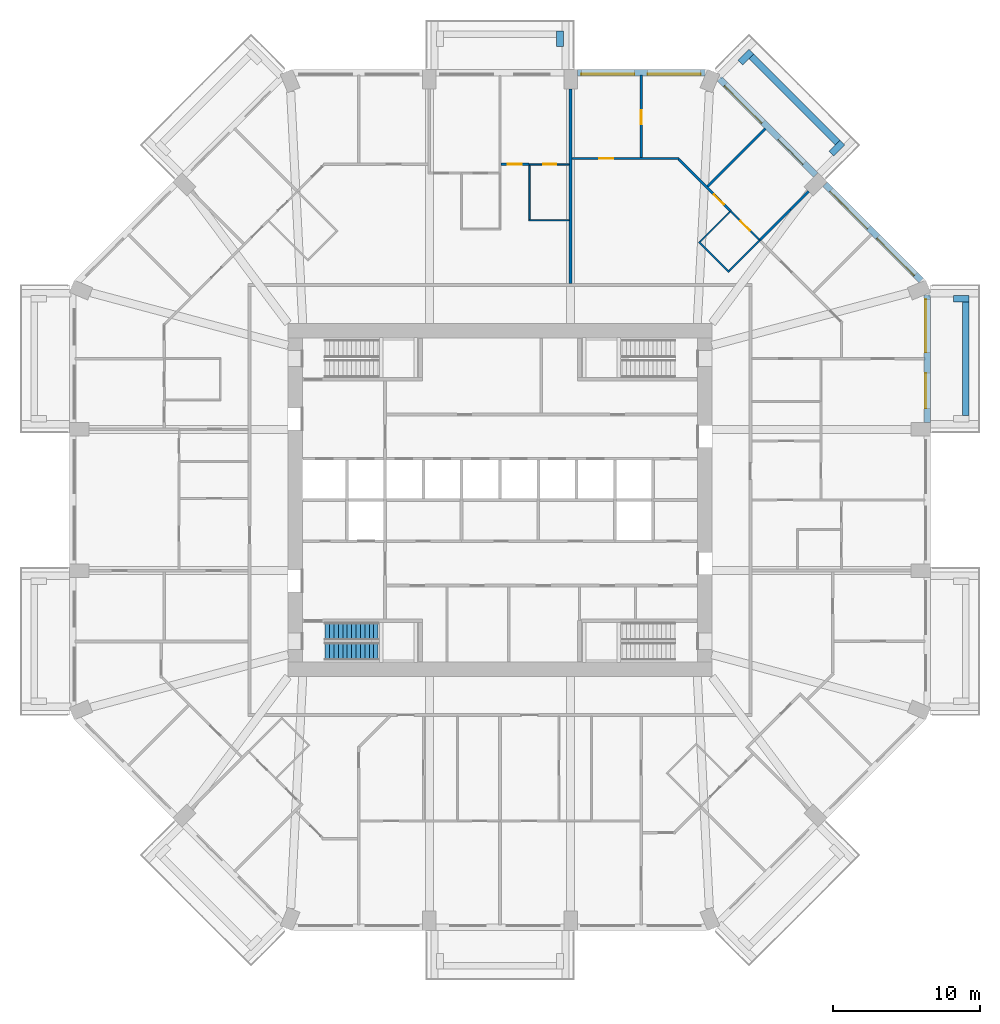
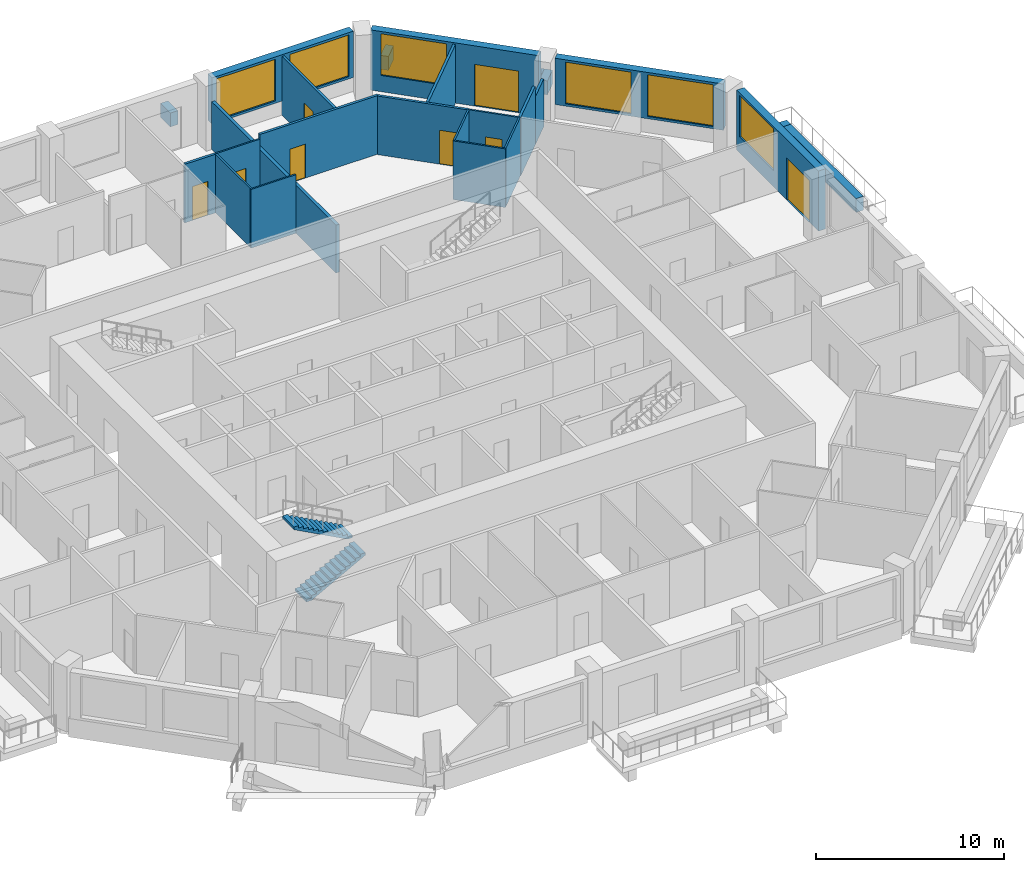
# One storey, part 10 of 13: 25 walls, 8 doors, 6 windows, 2 stair flights, 14 openings, 1 element without a shape of its own.
"""IFC4 building model written with IfcOpenShell, lengths in metres."""

from ifc_helpers import new_model, si_unit, direction, frame, frame_2d, origin, place, context, subcontext, project, spatial, polyline, rectangle, outline, extrude, material, layer, layer_set, type_object, element, fill, aggregate, save


model = new_model("IFC4")

# Units and contexts
model_context = context("Model", 3, precision=1e-05, world=origin(), true_north=direction((0.0, 1.0)))
body_context = subcontext(model_context, "Body", "Model", "MODEL_VIEW")
ifc_project = project(units=[si_unit("LENGTHUNIT", "METRE"), si_unit("AREAUNIT", "SQUARE_METRE"), si_unit("VOLUMEUNIT", "CUBIC_METRE"), si_unit("PLANEANGLEUNIT", "RADIAN"), si_unit("MASSUNIT", "GRAM", prefix="KILO")], contexts=[model_context])

# Site, building, storey
site_placement = place(None, origin())
site = spatial("IfcSite", under=ifc_project, at=site_placement, CompositionType="ELEMENT")
building_placement = place(site_placement, origin())
building = spatial("IfcBuilding", under=site, at=building_placement, Name="Msitu Wima Residences", CompositionType="ELEMENT")
storey_placement = place(building_placement, frame((0.0, 0.0, 92.699951171875)))
storey = spatial("IfcBuildingStorey", under=building, at=storey_placement, Name="L21", CompositionType="ELEMENT", Elevation=92.699951171875)

# Walls
ifc_material_1 = material(Name="Facing brick")
ifc_layer_1 = layer(ifc_material_1, 0.06494140625, Name="Facing brick")
ifc_material_2 = material(Name="Concrete C40/50", Category="concrete")
ifc_layer_2 = layer(ifc_material_2, 0.156005859375, Name="Concrete C40/50")
ifc_material_3 = material(Name="Waterproofing membrane")
ifc_layer_3 = layer(ifc_material_3, 0.00390625, Name="Waterproofing membrane")
ifc_material_4 = material(Name="Planting soil and planting")
ifc_layer_4 = layer(ifc_material_4, 0.22509765625, Name="Planting soil and planting")
ifc_layer_set_1 = layer_set([ifc_layer_1, ifc_layer_2, ifc_layer_3, ifc_layer_4], Name="Concrete C40/50")
wall_type_1 = type_object("IfcWallType", Name="Balcony planter PLANTER PL450", PredefinedType="USERDEFINED", material=ifc_layer_set_1)
wall_1_placement = place(storey_placement, frame((31.625, 5.75, 0.0), z_axis=(0.0, 0.0, 1.0), x_axis=(0.0, 1.0, 0.0)))
element("IfcWall", 1, at=wall_1_placement, inside=storey, type_object=wall_type_1, Name="Balcony planter E2 L21", ObjectType="PLANTER", PredefinedType="USERDEFINED", context=body_context, shape_type="SweptSolid", body=[
    extrude(rectangle(XDim=7.699951171875, YDim=0.449951171875, at=frame_2d((3.85009765625, 0.0))), origin(), (0.0, 0.0, 1.0), 0.900146484375),
])
wall_2_placement = place(storey_placement, frame((30.800048828125, 13.675048828125, 0.0), z_axis=(0.0, 0.0, 1.0), x_axis=(1.0, 0.0, 0.0)))
element("IfcWall", 2, at=wall_2_placement, inside=storey, type_object=wall_type_1, Name="Balcony planter E2 L21", ObjectType="PLANTER", PredefinedType="USERDEFINED", context=body_context, shape_type="SweptSolid", body=[
    extrude(rectangle(XDim=1.050048828125, YDim=0.449951171875, at=frame_2d((0.52490234375, 0.0))), origin(), (0.0, 0.0, 1.0), 0.900146484375),
])
wall_3_placement = place(storey_placement, frame((22.92578125, 24.269287109375, 0.0), z_axis=(0.0, 0.0, 1.0), x_axis=(-0.707106781187, 0.707106781187, 0.0)))
element("IfcWall", 3, at=wall_3_placement, inside=storey, type_object=wall_type_1, Name="Balcony planter NE1 L21", ObjectType="PLANTER", PredefinedType="USERDEFINED", context=body_context, shape_type="SweptSolid", body=[
    extrude(rectangle(XDim=8.2822265625, YDim=0.449951171875, at=frame_2d((4.14111328125, 0.0))), origin(), (0.0, 0.0, 1.0), 0.900146484375),
])
for number, where, z_axis, x_axis, name in (
    (4, (22.50146484375, 23.52685546875, 0.0), (0.0, 0.0, 1.0), (0.707223014731, 0.706990528533, 0.0), "Balcony planter NE1 L21"),
    (5, (16.326904296875, 29.70166015625, 0.0), (0.0, 0.0, 1.0), (0.707106781187, 0.707106781187, 0.0), "Balcony planter NE1 L21"),
    (6, (4.074951171875, 30.800048828125, 0.0), (0.0, 0.0, 1.0), (0.0, 1.0, 0.0), "Balcony planter N1 L21"),
):
    element("IfcWall", number, at=place(storey_placement, frame(where, z_axis=z_axis, x_axis=x_axis)), inside=storey, type_object=wall_type_1, Name=name, ObjectType="PLANTER", PredefinedType="USERDEFINED", context=body_context, shape_type="SweptSolid", body=[
        extrude(rectangle(XDim=1.050048828125, YDim=0.449951171875, at=frame_2d((0.52490234375, 0.0))), origin(), (0.0, 0.0, 1.0), 0.900146484375),
    ])

# Wall, openings, door, window
ifc_material_5 = material(Name="Brick (red buff mix)", Category="masonry")
ifc_layer_5 = layer(ifc_material_5, 0.449951171875)
ifc_layer_set_2 = layer_set([ifc_layer_5], Name="Brick (red buff mix)")
wall_type_2 = type_object("IfcWallType", Name="Brick infill wall BW450", PredefinedType="SOLIDWALL", material=ifc_layer_set_2)
wall_4_placement = place(storey_placement, frame((29.02490234375, 5.25, 0.0), z_axis=(0.0, 0.0, 1.0), x_axis=(0.0, 1.0, 0.0)))
wall_4 = element("IfcWall", 7, at=wall_4_placement, inside=storey, type_object=wall_type_2, Name="Brick infill wall L21 E2", PredefinedType="SOLIDWALL", context=body_context, shape_type="SweptSolid", body=[
    extrude(rectangle(XDim=8.662841796875, YDim=0.449951171875, at=frame_2d((4.33154296875, 0.0))), origin(), (0.0, 0.0, 1.0), 3.900146484375),
])
opening_1_placement = place(wall_4_placement, frame((0.9658203125, 0.0, 0.0)))
opening_1 = element("IfcOpeningElement", 8, at=opening_1_placement, cuts=wall_4, Name="Opening D21.002", PredefinedType="OPENING", context=body_context, shape_type="SweptSolid", body=[
    extrude(rectangle(XDim=2.39990234375, YDim=2.699951171875, at=frame_2d((1.199951171875, 1.35009765625))), frame((0.0, 0.23486328125, 0.0), z_axis=(0.0, -1.0, 0.0), x_axis=(1.0, 0.0, 0.0)), (0.0, 0.0, 1.0), 0.469970703125),
])
opening_2_placement = place(wall_4_placement, frame((4.781494140625, 0.0, 1.050048828125)))
opening_2 = element("IfcOpeningElement", 9, at=opening_2_placement, cuts=wall_4, Name="Opening W21.004", PredefinedType="OPENING", context=body_context, shape_type="SweptSolid", body=[
    extrude(rectangle(XDim=3.60009765625, YDim=2.699951171875, at=frame_2d((1.800048828125, 1.35009765625))), frame((0.0, 0.23486328125, 0.0), z_axis=(0.0, -1.0, 0.0), x_axis=(1.0, 0.0, 0.0)), (0.0, 0.0, 1.0), 0.469970703125),
])
ifc_material_6 = material(Name="Anodised aluminium, bronze finish, clear low-emissivity double glazing", Category="aluminium")
door_type_1 = type_object("IfcDoorType", Name="Balcony door D2400x2700", OperationType="SLIDING_TO_LEFT", PredefinedType="DOOR", material=ifc_material_6)
door_1_placement = place(opening_1_placement, origin())
door_1 = element("IfcDoor", 10, at=door_1_placement, inside=storey, type_object=door_type_1, Name="Balcony door L21 E2", OperationType="SINGLE_SWING_LEFT", OverallHeight=2.699951171875, OverallWidth=2.39990234375, PredefinedType="DOOR", context=body_context, shape_type="SweptSolid", body=[
    extrude(rectangle(XDim=2.39990234375, YDim=2.699951171875, at=frame_2d((1.199951171875, 1.35009765625))), frame((0.0, 0.1298828125, 0.0), z_axis=(0.0, -1.0, 0.0), x_axis=(1.0, 0.0, 0.0)), (0.0, 0.0, 1.0), 0.050048828125),
])
fill(opening_1, door_1)
window_type = type_object("IfcWindowType", Name="Window W3600x2700", PartitioningType="DOUBLE_PANEL_VERTICAL", PredefinedType="WINDOW", material=ifc_material_6)
window_1_placement = place(opening_2_placement, origin())
window_1 = element("IfcWindow", 11, at=window_1_placement, inside=storey, type_object=window_type, Name="Window L21 E2.2", OverallHeight=2.699951171875, OverallWidth=3.60009765625, PartitioningType="SINGLE_PANEL", PredefinedType="WINDOW", context=body_context, shape_type="SweptSolid", body=[
    extrude(rectangle(XDim=3.60009765625, YDim=2.699951171875, at=frame_2d((1.800048828125, 1.35009765625))), frame((0.0, 0.135009765625, 0.0), z_axis=(0.0, -1.0, 0.0), x_axis=(1.0, 0.0, 0.0)), (0.0, 0.0, 1.0), 0.06005859375),
])
fill(opening_2, window_1)

# Wall, openings, windows
wall_5_placement = place(storey_placement, frame((28.61474609375, 14.903564453125, 0.900146484375), z_axis=(0.0, 0.0, 1.0), x_axis=(-0.707106781187, 0.707106781187, 0.0)))
wall_5 = element("IfcWall", 12, at=wall_5_placement, inside=storey, type_object=wall_type_2, Name="Brick infill wall L21 NE0", PredefinedType="SOLIDWALL", context=body_context, shape_type="SweptSolid", body=[
    extrude(rectangle(XDim=9.2451171875, YDim=0.449951171875, at=frame_2d((4.62255859375, 0.0))), origin(), (0.0, 0.0, 1.0), 3.0),
])
opening_3_placement = place(wall_5_placement, frame((0.572509765625, 0.0, 0.14990234375)))
opening_3 = element("IfcOpeningElement", 13, at=opening_3_placement, cuts=wall_5, Name="Opening W21.010", PredefinedType="OPENING", context=body_context, shape_type="SweptSolid", body=[
    extrude(rectangle(XDim=3.60009765625, YDim=2.699951171875, at=frame_2d((1.800048828125, 1.35009765625))), frame((0.0, 0.23486328125, 0.0), z_axis=(0.0, -1.0, 0.0), x_axis=(1.0, 0.0, 0.0)), (0.0, 0.0, 1.0), 0.469970703125),
])
opening_4_placement = place(wall_5_placement, frame((5.072509765625, 0.0, 0.14990234375)))
opening_4 = element("IfcOpeningElement", 14, at=opening_4_placement, cuts=wall_5, Name="Opening W21.011", PredefinedType="OPENING", context=body_context, shape_type="SweptSolid", body=[
    extrude(rectangle(XDim=3.60009765625, YDim=2.699951171875, at=frame_2d((1.800048828125, 1.35009765625))), frame((0.0, 0.23486328125, 0.0), z_axis=(0.0, -1.0, 0.0), x_axis=(1.0, 0.0, 0.0)), (0.0, 0.0, 1.0), 0.469970703125),
])
window_2_placement = place(opening_3_placement, origin())
window_2 = element("IfcWindow", 15, at=window_2_placement, inside=storey, type_object=window_type, Name="Window L21 NE0.1", OverallHeight=2.699951171875, OverallWidth=3.60009765625, PartitioningType="SINGLE_PANEL", PredefinedType="WINDOW", context=body_context, shape_type="SweptSolid", body=[
    extrude(rectangle(XDim=3.60009765625, YDim=2.699951171875, at=frame_2d((1.800048828125, 1.35009765625))), frame((0.0, 0.135009765625, 0.0), z_axis=(0.0, -1.0, 0.0), x_axis=(1.0, 0.0, 0.0)), (0.0, 0.0, 1.0), 0.06005859375),
])
fill(opening_3, window_2)
window_3_placement = place(opening_4_placement, origin())
window_3 = element("IfcWindow", 16, at=window_3_placement, inside=storey, type_object=window_type, Name="Window L21 NE0.2", OverallHeight=2.699951171875, OverallWidth=3.60009765625, PartitioningType="SINGLE_PANEL", PredefinedType="WINDOW", context=body_context, shape_type="SweptSolid", body=[
    extrude(rectangle(XDim=3.60009765625, YDim=2.699951171875, at=frame_2d((1.800048828125, 1.35009765625))), frame((0.0, 0.135009765625, 0.0), z_axis=(0.0, -1.0, 0.0), x_axis=(1.0, 0.0, 0.0)), (0.0, 0.0, 1.0), 0.06005859375),
])
fill(opening_4, window_3)

# Wall, openings, door, window
wall_6_placement = place(storey_placement, frame((21.44091796875, 22.077392578125, 0.0), z_axis=(0.0, 0.0, 1.0), x_axis=(-0.707106781187, 0.707106781187, 0.0)))
wall_6 = element("IfcWall", 17, at=wall_6_placement, inside=storey, type_object=wall_type_2, Name="Brick infill wall L21 NE1", PredefinedType="SOLIDWALL", context=body_context, shape_type="SweptSolid", body=[
    extrude(rectangle(XDim=9.2451171875, YDim=0.449951171875, at=frame_2d((4.62255859375, 0.0))), origin(), (0.0, 0.0, 1.0), 3.900146484375),
])
opening_5_placement = place(wall_6_placement, frame((1.111328125, 0.0, 0.0)))
opening_5 = element("IfcOpeningElement", 18, at=opening_5_placement, cuts=wall_6, Name="Opening D21.004", PredefinedType="OPENING", context=body_context, shape_type="SweptSolid", body=[
    extrude(rectangle(XDim=2.39990234375, YDim=2.699951171875, at=frame_2d((1.199951171875, 1.35009765625))), frame((0.0, 0.23486328125, 0.0), z_axis=(0.0, -1.0, 0.0), x_axis=(1.0, 0.0, 0.0)), (0.0, 0.0, 1.0), 0.469970703125),
])
opening_6_placement = place(wall_6_placement, frame((5.072509765625, 0.0, 1.050048828125)))
opening_6 = element("IfcOpeningElement", 19, at=opening_6_placement, cuts=wall_6, Name="Opening W21.012", PredefinedType="OPENING", context=body_context, shape_type="SweptSolid", body=[
    extrude(rectangle(XDim=3.60009765625, YDim=2.699951171875, at=frame_2d((1.800048828125, 1.35009765625))), frame((0.0, 0.23486328125, 0.0), z_axis=(0.0, -1.0, 0.0), x_axis=(1.0, 0.0, 0.0)), (0.0, 0.0, 1.0), 0.469970703125),
])
door_2_placement = place(opening_5_placement, origin())
door_2 = element("IfcDoor", 20, at=door_2_placement, inside=storey, type_object=door_type_1, Name="Balcony door L21 NE1", OperationType="SINGLE_SWING_LEFT", OverallHeight=2.699951171875, OverallWidth=2.39990234375, PredefinedType="DOOR", context=body_context, shape_type="SweptSolid", body=[
    extrude(rectangle(XDim=2.39990234375, YDim=2.699951171875, at=frame_2d((1.199951171875, 1.35009765625))), frame((0.0, 0.1298828125, 0.0), z_axis=(0.0, -1.0, 0.0), x_axis=(1.0, 0.0, 0.0)), (0.0, 0.0, 1.0), 0.050048828125),
])
fill(opening_5, door_2)
window_4_placement = place(opening_6_placement, origin())
window_4 = element("IfcWindow", 21, at=window_4_placement, inside=storey, type_object=window_type, Name="Window L21 NE1.2", OverallHeight=2.699951171875, OverallWidth=3.60009765625, PartitioningType="SINGLE_PANEL", PredefinedType="WINDOW", context=body_context, shape_type="SweptSolid", body=[
    extrude(rectangle(XDim=3.60009765625, YDim=2.699951171875, at=frame_2d((1.800048828125, 1.35009765625))), frame((0.0, 0.135009765625, 0.0), z_axis=(0.0, -1.0, 0.0), x_axis=(1.0, 0.0, 0.0)), (0.0, 0.0, 1.0), 0.06005859375),
])
fill(opening_6, window_4)

# Wall, openings, windows
wall_7_placement = place(storey_placement, frame((13.912841796875, 29.02490234375, 0.900146484375), z_axis=(0.0, 0.0, 1.0), x_axis=(-1.0, 0.0, 0.0)))
wall_7 = element("IfcWall", 22, at=wall_7_placement, inside=storey, type_object=wall_type_2, Name="Brick infill wall L21 N0", PredefinedType="SOLIDWALL", context=body_context, shape_type="SweptSolid", body=[
    extrude(rectangle(XDim=8.662841796875, YDim=0.449951171875, at=frame_2d((4.33154296875, 0.0))), origin(), (0.0, 0.0, 1.0), 3.0),
])
opening_7_placement = place(wall_7_placement, frame((0.281494140625, 0.0, 0.14990234375)))
opening_7 = element("IfcOpeningElement", 23, at=opening_7_placement, cuts=wall_7, Name="Opening W21.005", PredefinedType="OPENING", context=body_context, shape_type="SweptSolid", body=[
    extrude(rectangle(XDim=3.60009765625, YDim=2.699951171875, at=frame_2d((1.800048828125, 1.35009765625))), frame((0.0, 0.23486328125, 0.0), z_axis=(0.0, -1.0, 0.0), x_axis=(1.0, 0.0, 0.0)), (0.0, 0.0, 1.0), 0.469970703125),
])
opening_8_placement = place(wall_7_placement, frame((4.781494140625, 0.0, 0.14990234375)))
opening_8 = element("IfcOpeningElement", 24, at=opening_8_placement, cuts=wall_7, Name="Opening W21.006", PredefinedType="OPENING", context=body_context, shape_type="SweptSolid", body=[
    extrude(rectangle(XDim=3.60009765625, YDim=2.699951171875, at=frame_2d((1.800048828125, 1.35009765625))), frame((0.0, 0.23486328125, 0.0), z_axis=(0.0, -1.0, 0.0), x_axis=(1.0, 0.0, 0.0)), (0.0, 0.0, 1.0), 0.469970703125),
])
window_5_placement = place(opening_7_placement, origin())
window_5 = element("IfcWindow", 25, at=window_5_placement, inside=storey, type_object=window_type, Name="Window L21 N0.1", OverallHeight=2.699951171875, OverallWidth=3.60009765625, PartitioningType="SINGLE_PANEL", PredefinedType="WINDOW", context=body_context, shape_type="SweptSolid", body=[
    extrude(rectangle(XDim=3.60009765625, YDim=2.699951171875, at=frame_2d((1.800048828125, 1.35009765625))), frame((0.0, 0.135009765625, 0.0), z_axis=(0.0, -1.0, 0.0), x_axis=(1.0, 0.0, 0.0)), (0.0, 0.0, 1.0), 0.06005859375),
])
fill(opening_7, window_5)
window_6_placement = place(opening_8_placement, origin())
window_6 = element("IfcWindow", 26, at=window_6_placement, inside=storey, type_object=window_type, Name="Window L21 N0.2", OverallHeight=2.699951171875, OverallWidth=3.60009765625, PartitioningType="SINGLE_PANEL", PredefinedType="WINDOW", context=body_context, shape_type="SweptSolid", body=[
    extrude(rectangle(XDim=3.60009765625, YDim=2.699951171875, at=frame_2d((1.800048828125, 1.35009765625))), frame((0.0, 0.135009765625, 0.0), z_axis=(0.0, -1.0, 0.0), x_axis=(1.0, 0.0, 0.0)), (0.0, 0.0, 1.0), 0.06005859375),
])
fill(opening_8, window_6)

# Wall, opening, door
ifc_material_7 = material(Name="Plaster")
ifc_layer_6 = layer(ifc_material_7, 0.011962890625, Name="Plaster")
ifc_material_8 = material(Name="Concrete blockwork", Category="masonry")
ifc_layer_7 = layer(ifc_material_8, 0.1259765625, Name="Concrete blockwork")
ifc_layer_8 = layer(ifc_material_7, 0.011962890625, Name="Plaster")
ifc_layer_set_3 = layer_set([ifc_layer_6, ifc_layer_7, ifc_layer_8], Name="Concrete blockwork")
wall_type_3 = type_object("IfcWallType", Name="Partition PW150", PredefinedType="PARTITIONING", material=ifc_layer_set_3)
wall_8_placement = place(storey_placement, frame((0.074951171875, 22.800048828125, 0.0), z_axis=(0.0, 0.0, 1.0), x_axis=(1.0, 0.0, 0.0)))
wall_8 = element("IfcWall", 27, at=wall_8_placement, inside=storey, type_object=wall_type_3, Name="Partition", PredefinedType="PARTITIONING", context=body_context, shape_type="SweptSolid", body=[
    extrude(rectangle(XDim=1.905029296875, YDim=0.14990234375, at=frame_2d((0.95263671875, 0.0))), origin(), (0.0, 0.0, 1.0), 3.798095703125),
])
opening_9_placement = place(wall_8_placement, frame((0.449951171875, 0.0, 0.0)))
opening_9 = element("IfcOpeningElement", 28, at=opening_9_placement, cuts=wall_8, Name="Opening D21.058", PredefinedType="OPENING", context=body_context, shape_type="SweptSolid", body=[
    extrude(rectangle(XDim=0.949951171875, YDim=2.199951171875, at=frame_2d((0.47509765625, 1.10009765625))), frame((0.0, 0.0849609375, 0.0), z_axis=(0.0, -1.0, 0.0), x_axis=(1.0, 0.0, 0.0)), (0.0, 0.0, 1.0), 0.169921875),
])
ifc_material_9 = material(Name="Timber flush door", Category="wood")
door_type_2 = type_object("IfcDoorType", Name="Room door D12 950x2200", OperationType="SINGLE_SWING_LEFT", PredefinedType="DOOR", material=ifc_material_9)
door_3_placement = place(opening_9_placement, origin())
door_3 = element("IfcDoor", 29, at=door_3_placement, inside=storey, type_object=door_type_2, Name="Room door", OperationType="SINGLE_SWING_LEFT", OverallHeight=2.199951171875, OverallWidth=0.949951171875, PredefinedType="DOOR", context=body_context, shape_type="SweptSolid", body=[
    extrude(rectangle(XDim=0.949951171875, YDim=2.199951171875, at=frame_2d((0.47509765625, 1.10009765625))), frame((0.0, 0.02490234375, 0.0), z_axis=(0.0, -1.0, 0.0), x_axis=(1.0, 0.0, 0.0)), (0.0, 0.0, 1.0), 0.050048828125),
])
fill(opening_9, door_3)

wall_9_placement = place(storey_placement, frame((4.89990234375, 23.199951171875, 0.0), z_axis=(0.0, 0.0, 1.0), x_axis=(1.0, 0.0, 0.0)))
wall_9 = element("IfcWall", 30, at=wall_9_placement, inside=storey, type_object=wall_type_3, Name="Partition", PredefinedType="PARTITIONING", context=body_context, shape_type="SweptSolid", body=[
    extrude(rectangle(XDim=7.255615234375, YDim=0.14990234375, at=frame_2d((3.6279296875, 0.0))), origin(), (0.0, 0.0, 1.0), 3.798095703125),
])
opening_10_placement = place(wall_9_placement, frame((1.85009765625, 0.0, 0.0)))
opening_10 = element("IfcOpeningElement", 31, at=opening_10_placement, cuts=wall_9, Name="Opening D21.089", PredefinedType="OPENING", context=body_context, shape_type="SweptSolid", body=[
    extrude(rectangle(XDim=0.949951171875, YDim=2.199951171875, at=frame_2d((0.47509765625, 1.10009765625))), frame((0.0, 0.0849609375, 0.0), z_axis=(0.0, -1.0, 0.0), x_axis=(1.0, 0.0, 0.0)), (0.0, 0.0, 1.0), 0.169921875),
])
door_4_placement = place(opening_10_placement, origin())
door_4 = element("IfcDoor", 32, at=door_4_placement, inside=storey, type_object=door_type_2, Name="Room door", OperationType="SINGLE_SWING_RIGHT", OverallHeight=2.199951171875, OverallWidth=0.949951171875, PredefinedType="DOOR", context=body_context, shape_type="SweptSolid", body=[
    extrude(rectangle(XDim=0.949951171875, YDim=2.199951171875, at=frame_2d((0.47509765625, 1.10009765625))), frame((0.0, 0.02490234375, 0.0), z_axis=(0.0, -1.0, 0.0), x_axis=(1.0, 0.0, 0.0)), (0.0, 0.0, 1.0), 0.050048828125),
])
fill(opening_10, door_4)

wall_10_placement = place(storey_placement, frame((9.60009765625, 23.27490234375, 0.0), z_axis=(0.0, 0.0, 1.0), x_axis=(0.0, 1.0, 0.0)))
wall_10 = element("IfcWall", 33, at=wall_10_placement, inside=storey, type_object=wall_type_3, Name="Partition", PredefinedType="PARTITIONING", context=body_context, shape_type="SweptSolid", body=[
    extrude(rectangle(XDim=5.580078125, YDim=0.14990234375, at=frame_2d((2.7900390625, 0.0))), origin(), (0.0, 0.0, 1.0), 3.798095703125),
])
opening_11_placement = place(wall_10_placement, frame((2.25, 0.0, 0.0)))
opening_11 = element("IfcOpeningElement", 34, at=opening_11_placement, cuts=wall_10, Name="Opening D21.044", PredefinedType="OPENING", context=body_context, shape_type="SweptSolid", body=[
    extrude(rectangle(XDim=0.949951171875, YDim=2.199951171875, at=frame_2d((0.47509765625, 1.10009765625))), frame((0.0, 0.0849609375, 0.0), z_axis=(0.0, -1.0, 0.0), x_axis=(1.0, 0.0, 0.0)), (0.0, 0.0, 1.0), 0.169921875),
])
door_5_placement = place(opening_11_placement, origin())
door_5 = element("IfcDoor", 35, at=door_5_placement, inside=storey, type_object=door_type_2, Name="Room door", OperationType="SINGLE_SWING_RIGHT", OverallHeight=2.199951171875, OverallWidth=0.949951171875, PredefinedType="DOOR", context=body_context, shape_type="SweptSolid", body=[
    extrude(rectangle(XDim=0.949951171875, YDim=2.199951171875, at=frame_2d((0.47509765625, 1.10009765625))), frame((0.0, 0.02490234375, 0.0), z_axis=(0.0, -1.0, 0.0), x_axis=(1.0, 0.0, 0.0)), (0.0, 0.0, 1.0), 0.050048828125),
])
fill(opening_11, door_5)

wall_11_placement = place(storey_placement, frame((12.133544921875, 23.14697265625, 0.0), z_axis=(0.0, 0.0, 1.0), x_axis=(0.707106781187, -0.707106781187, 0.0)))
wall_11 = element("IfcWall", 36, at=wall_11_placement, inside=storey, type_object=wall_type_3, Name="Partition", PredefinedType="PARTITIONING", context=body_context, shape_type="SweptSolid", body=[
    extrude(rectangle(XDim=4.98779296875, YDim=0.14990234375, at=frame_2d((2.493896484375, 0.0))), origin(), (0.0, 0.0, 1.0), 3.798095703125),
])
opening_12_placement = place(wall_11_placement, frame((3.39990234375, 0.0, 0.0)))
opening_12 = element("IfcOpeningElement", 37, at=opening_12_placement, cuts=wall_11, Name="Opening D21.041", PredefinedType="OPENING", context=body_context, shape_type="SweptSolid", body=[
    extrude(rectangle(XDim=0.949951171875, YDim=2.199951171875, at=frame_2d((0.47509765625, 1.10009765625))), frame((0.0, 0.0849609375, 0.0), z_axis=(0.0, -1.0, 0.0), x_axis=(1.0, 0.0, 0.0)), (0.0, 0.0, 1.0), 0.169921875),
])
door_6_placement = place(opening_12_placement, origin())
door_6 = element("IfcDoor", 38, at=door_6_placement, inside=storey, type_object=door_type_2, Name="Room door", OperationType="SINGLE_SWING_LEFT", OverallHeight=2.199951171875, OverallWidth=0.949951171875, PredefinedType="DOOR", context=body_context, shape_type="SweptSolid", body=[
    extrude(rectangle(XDim=0.949951171875, YDim=2.199951171875, at=frame_2d((0.47509765625, 1.10009765625))), frame((0.0, 0.02490234375, 0.0), z_axis=(0.0, -1.0, 0.0), x_axis=(1.0, 0.0, 0.0)), (0.0, 0.0, 1.0), 0.050048828125),
])
fill(opening_12, door_6)

# Walls
wall_12_placement = place(storey_placement, frame((14.09326171875, 21.293212890625, 0.0), z_axis=(0.0, 0.0, 1.0), x_axis=(0.70708478617, 0.707128775519, 0.0)))
element("IfcWall", 39, at=wall_12_placement, inside=storey, type_object=wall_type_3, Name="Partition", PredefinedType="PARTITIONING", context=body_context, shape_type="SweptSolid", body=[
    extrude(rectangle(XDim=5.550048828125, YDim=0.14990234375, at=frame_2d((2.77490234375, 0.0))), origin(), (0.0, 0.0, 1.0), 3.798095703125),
])
wall_13_placement = place(storey_placement, frame((17.6259765625, 17.6259765625, 0.0), z_axis=(0.0, 0.0, 1.0), x_axis=(0.707106781187, 0.707106781187, 0.0)))
element("IfcWall", 40, at=wall_13_placement, inside=storey, type_object=wall_type_3, Name="Partition", PredefinedType="PARTITIONING", context=body_context, shape_type="SweptSolid", body=[
    extrude(rectangle(XDim=2.9716796875, YDim=0.14990234375, at=frame_2d((1.48583984375, 0.0))), origin(), (0.0, 0.0, 1.0), 3.798095703125),
])
wall_14_placement = place(storey_placement, frame((19.727294921875, 19.727294921875, 0.0), z_axis=(0.0, 0.0, 1.0), x_axis=(0.707106781187, 0.707106781187, 0.0)))
element("IfcWall", 41, at=wall_14_placement, inside=storey, type_object=wall_type_3, Name="Partition", PredefinedType="PARTITIONING", context=body_context, shape_type="SweptSolid", body=[
    extrude(rectangle(XDim=1.74853515625, YDim=0.14990234375, at=frame_2d((0.874267578125, 0.0))), origin(), (0.0, 0.0, 1.0), 3.10009765625),
])
ifc_layer_9 = layer(ifc_material_7, 0.011962890625, Name="Plaster")
ifc_material_10 = material(Name="Dense concrete blockwork", Category="masonry")
ifc_layer_10 = layer(ifc_material_10, 0.176025390625, Name="Dense concrete blockwork")
ifc_layer_11 = layer(ifc_material_7, 0.011962890625, Name="Plaster")
ifc_layer_set_4 = layer_set([ifc_layer_9, ifc_layer_10, ifc_layer_11], Name="Dense concrete blockwork")
wall_type_4 = type_object("IfcWallType", Name="Party wall PW200", PredefinedType="PARTITIONING", material=ifc_layer_set_4)
wall_15_placement = place(storey_placement, frame((4.800048828125, 14.699951171875, 0.0), z_axis=(0.0, 0.0, 1.0), x_axis=(0.0, 1.0, 0.0)))
element("IfcWall", 42, at=wall_15_placement, inside=storey, type_object=wall_type_4, Name="Party wall", PredefinedType="PARTITIONING", context=body_context, shape_type="SweptSolid", body=[
    extrude(rectangle(XDim=13.199951171875, YDim=0.199951171875, at=frame_2d((6.60009765625, 0.0))), origin(), (0.0, 0.0, 1.0), 3.10009765625),
])

# Wall, opening, door
ifc_material_11 = material(Name="Ceramic tiles")
ifc_layer_12 = layer(ifc_material_11, 0.008056640625, Name="Ceramic tiles")
ifc_material_12 = material(Name="Moisture-resistant board")
ifc_layer_13 = layer(ifc_material_12, 0.012451171875, Name="Moisture-resistant board")
ifc_material_13 = material(Name="Light-gauge stud framing with mineral wool")
ifc_layer_14 = layer(ifc_material_13, 0.06689453125, Name="Light-gauge stud framing with mineral wool")
ifc_layer_15 = layer(ifc_material_12, 0.012451171875, Name="Moisture-resistant board")
ifc_layer_set_5 = layer_set([ifc_layer_12, ifc_layer_13, ifc_layer_14, ifc_layer_15], Name="Light-gauge stud framing with mineral wool")
wall_type_5 = type_object("IfcWallType", Name="Wet wall PW100", PredefinedType="PARTITIONING", material=ifc_layer_set_5)
wall_16_placement = place(storey_placement, frame((1.97998046875, 22.800048828125, 0.0), z_axis=(0.0, 0.0, 1.0), x_axis=(1.0, 0.0, 0.0)))
wall_16 = element("IfcWall", 43, at=wall_16_placement, inside=storey, type_object=wall_type_5, Name="Wet wall", PredefinedType="PARTITIONING", context=body_context, shape_type="SweptSolid", body=[
    extrude(rectangle(XDim=2.719970703125, YDim=0.10009765625, at=frame_2d((1.35986328125, 0.0))), origin(), (0.0, 0.0, 1.0), 3.798095703125),
])
opening_13_placement = place(wall_16_placement, frame((0.949951171875, 0.0, 0.0)))
opening_13 = element("IfcOpeningElement", 44, at=opening_13_placement, cuts=wall_16, Name="Opening D21.059", PredefinedType="OPENING", context=body_context, shape_type="SweptSolid", body=[
    extrude(rectangle(XDim=0.89990234375, YDim=2.199951171875, at=frame_2d((0.449951171875, 1.10009765625))), frame((0.0, 0.06005859375, 0.0), z_axis=(0.0, -1.0, 0.0), x_axis=(1.0, 0.0, 0.0)), (0.0, 0.0, 1.0), 0.1201171875),
])
ifc_material_14 = material(Name="Timber flush door, moisture resistant", Category="wood")
door_type_3 = type_object("IfcDoorType", Name="Bathroom door D03 900x2200", OperationType="SINGLE_SWING_LEFT", PredefinedType="DOOR", material=ifc_material_14)
door_7_placement = place(opening_13_placement, origin())
door_7 = element("IfcDoor", 45, at=door_7_placement, inside=storey, type_object=door_type_3, Name="Bathroom door", OperationType="SINGLE_SWING_LEFT", OverallHeight=2.199951171875, OverallWidth=0.89990234375, PredefinedType="DOOR", context=body_context, shape_type="SweptSolid", body=[
    extrude(rectangle(XDim=0.89990234375, YDim=2.199951171875, at=frame_2d((0.449951171875, 1.10009765625))), frame((0.0, 0.02490234375, 0.0), z_axis=(0.0, -1.0, 0.0), x_axis=(1.0, 0.0, 0.0)), (0.0, 0.0, 1.0), 0.050048828125),
])
fill(opening_13, door_7)

# Walls
wall_17_placement = place(storey_placement, frame((2.0, 19.050048828125, 0.0), z_axis=(0.0, 0.0, 1.0), x_axis=(0.0, 1.0, 0.0)))
element("IfcWall", 46, at=wall_17_placement, inside=storey, type_object=wall_type_5, Name="Wet wall", PredefinedType="PARTITIONING", context=body_context, shape_type="SweptSolid", body=[
    extrude(rectangle(XDim=3.699951171875, YDim=0.10009765625, at=frame_2d((1.85009765625, 0.0))), origin(), (0.0, 0.0, 1.0), 3.798095703125),
])
wall_18_placement = place(storey_placement, frame((1.949951171875, 19.0, 0.0), z_axis=(0.0, 0.0, 1.0), x_axis=(1.0, 0.0, 0.0)))
element("IfcWall", 47, at=wall_18_placement, inside=storey, type_object=wall_type_5, Name="Wet wall", PredefinedType="PARTITIONING", context=body_context, shape_type="SweptSolid", body=[
    extrude(rectangle(XDim=2.75, YDim=0.10009765625, at=frame_2d((1.375, 0.0))), origin(), (0.0, 0.0, 1.0), 3.798095703125),
])
wall_19_placement = place(storey_placement, frame((13.503662109375, 17.5341796875, 0.0), z_axis=(0.0, 0.0, 1.0), x_axis=(0.707106781187, -0.707106781187, 0.0)))
element("IfcWall", 48, at=wall_19_placement, inside=storey, type_object=wall_type_5, Name="Wet wall", PredefinedType="PARTITIONING", context=body_context, shape_type="SweptSolid", body=[
    extrude(rectangle(XDim=2.89990234375, YDim=0.10009765625, at=frame_2d((1.449951171875, 0.0))), origin(), (0.0, 0.0, 1.0), 3.798095703125),
])
wall_20_placement = place(storey_placement, frame((13.57421875, 17.5341796875, 0.0), z_axis=(0.0, 0.0, 1.0), x_axis=(0.707148872128, 0.707064687739, 0.0)))
element("IfcWall", 49, at=wall_20_placement, inside=storey, type_object=wall_type_5, Name="Wet wall", PredefinedType="PARTITIONING", context=body_context, shape_type="SweptSolid", body=[
    extrude(rectangle(XDim=2.900146484375, YDim=0.10009765625, at=frame_2d((1.4501953125, 0.0))), origin(), (0.0, 0.0, 1.0), 3.798095703125),
])
wall_21_placement = place(storey_placement, frame((15.55419921875, 15.55419921875, 0.0), z_axis=(0.0, 0.0, 1.0), x_axis=(0.707106781187, 0.707106781187, 0.0)))
element("IfcWall", 50, at=wall_21_placement, inside=storey, type_object=wall_type_5, Name="Wet wall", PredefinedType="PARTITIONING", context=body_context, shape_type="SweptSolid", body=[
    extrude(rectangle(XDim=2.929931640625, YDim=0.10009765625, at=frame_2d((1.46484375, 0.0))), origin(), (0.0, 0.0, 1.0), 3.798095703125),
])

# Wall, opening, door
wall_22_placement = place(storey_placement, frame((15.660400390625, 19.6201171875, 0.0), z_axis=(0.0, 0.0, 1.0), x_axis=(0.707063182409, -0.707150377276, 0.0)))
wall_22 = element("IfcWall", 51, at=wall_22_placement, inside=storey, type_object=wall_type_5, Name="Wet wall", PredefinedType="PARTITIONING", context=body_context, shape_type="SweptSolid", body=[
    extrude(rectangle(XDim=2.800048828125, YDim=0.10009765625, at=frame_2d((1.39990234375, 0.0))), origin(), (0.0, 0.0, 1.0), 3.798095703125),
])
opening_14_placement = place(wall_22_placement, frame((0.949951171875, 0.0, 0.0)))
opening_14 = element("IfcOpeningElement", 52, at=opening_14_placement, cuts=wall_22, Name="Opening D21.042", PredefinedType="OPENING", context=body_context, shape_type="SweptSolid", body=[
    extrude(rectangle(XDim=0.89990234375, YDim=2.199951171875, at=frame_2d((0.449951171875, 1.10009765625))), frame((0.0, 0.06005859375, 0.0), z_axis=(0.0, -1.0, 0.0), x_axis=(1.0, 0.0, 0.0)), (0.0, 0.0, 1.0), 0.1201171875),
])
door_8_placement = place(opening_14_placement, origin())
door_8 = element("IfcDoor", 53, at=door_8_placement, inside=storey, type_object=door_type_3, Name="Bathroom door", OperationType="SINGLE_SWING_LEFT", OverallHeight=2.199951171875, OverallWidth=0.89990234375, PredefinedType="DOOR", context=body_context, shape_type="SweptSolid", body=[
    extrude(rectangle(XDim=0.89990234375, YDim=2.199951171875, at=frame_2d((0.449951171875, 1.10009765625))), frame((0.0, 0.02490234375, 0.0), z_axis=(0.0, -1.0, 0.0), x_axis=(1.0, 0.0, 0.0)), (0.0, 0.0, 1.0), 0.050048828125),
])
fill(opening_14, door_8)

# Stair, stair flights
stair_type = type_object("IfcStairType", Name="Exit stair ES1615-120", PredefinedType="HALF_TURN_STAIR", material=ifc_material_2)
stair_placement = place(storey_placement, origin())
stair = element("IfcStair", 54, at=stair_placement, inside=storey, type_object=stair_type, Name="Exit stair 2", PredefinedType="HALF_TURN_STAIR")
stair_flight_type = type_object("IfcStairFlightType", Name="Exit stair flight ES1615-120", PredefinedType="STRAIGHT", material=ifc_material_2)
stair_flight_1_placement = place(storey_placement, frame((-11.875, -10.27490234375, 0.0), z_axis=(0.0, 0.0, 1.0), x_axis=(1.0, 0.0, 0.0)))
stair_flight_1 = element("IfcStairFlight", 55, at=stair_flight_1_placement, type_object=stair_flight_type, Name="S2 flight 1", NumberOfRisers=13, NumberOfTreads=12, PredefinedType="STRAIGHT", RiserHeight=0.161538462, TreadLength=0.3, context=body_context, shape_type="SweptSolid", body=[
    extrude(outline(polyline([(0.0, 0.0), (0.0, 0.16162109375), (0.300048828125, 0.16162109375), (0.300048828125, 0.322998046875), (0.60009765625, 0.322998046875), (0.60009765625, 0.484619140625), (0.89990234375, 0.484619140625), (0.89990234375, 0.646240234375), (1.199951171875, 0.646240234375), (1.199951171875, 0.8076171875), (1.5, 0.8076171875), (1.5, 0.96923828125), (1.800048828125, 0.96923828125), (1.800048828125, 1.130859375), (2.10009765625, 1.130859375), (2.10009765625, 1.292236328125), (2.39990234375, 1.292236328125), (2.39990234375, 1.453857421875), (2.699951171875, 1.453857421875), (2.699951171875, 1.615478515625), (3.0, 1.615478515625), (3.0, 1.77685546875), (3.300048828125, 1.77685546875), (3.300048828125, 1.9384765625), (3.60009765625, 1.9384765625), (3.60009765625, 2.10009765625), (3.60009765625, 1.768310546875), (0.316162109375, 0.0), (0.0, 0.0)])), frame((0.0, 0.60009765625, 0.0), z_axis=(0.0, -1.0, 0.0), x_axis=(1.0, 0.0, 0.0)), (0.0, 0.0, 1.0), 1.199951171875),
])
stair_flight_2_placement = place(storey_placement, frame((-8.27490234375, -8.925048828125, 2.10009765625), z_axis=(0.0, 0.0, 1.0), x_axis=(-1.0, 0.0, 0.0)))
stair_flight_2 = element("IfcStairFlight", 56, at=stair_flight_2_placement, type_object=stair_flight_type, Name="S2 flight 2", NumberOfRisers=13, NumberOfTreads=12, PredefinedType="STRAIGHT", RiserHeight=0.161538462, TreadLength=0.3, context=body_context, shape_type="SweptSolid", body=[
    extrude(outline(polyline([(0.0, 0.0), (0.0, 0.16162109375), (0.300048828125, 0.16162109375), (0.300048828125, 0.322998046875), (0.60009765625, 0.322998046875), (0.60009765625, 0.484619140625), (0.89990234375, 0.484619140625), (0.89990234375, 0.646240234375), (1.199951171875, 0.646240234375), (1.199951171875, 0.8076171875), (1.5, 0.8076171875), (1.5, 0.96923828125), (1.800048828125, 0.96923828125), (1.800048828125, 1.130859375), (2.10009765625, 1.130859375), (2.10009765625, 1.292236328125), (2.39990234375, 1.292236328125), (2.39990234375, 1.453857421875), (2.699951171875, 1.453857421875), (2.699951171875, 1.615478515625), (3.0, 1.615478515625), (3.0, 1.77685546875), (3.300048828125, 1.77685546875), (3.300048828125, 1.9384765625), (3.60009765625, 1.9384765625), (3.60009765625, 2.10009765625), (3.60009765625, 1.768310546875), (0.316162109375, 0.0), (0.0, 0.0)])), frame((0.0, 0.60009765625, 0.0), z_axis=(0.0, -1.0, 0.0), x_axis=(1.0, 0.0, 0.0)), (0.0, 0.0, 1.0), 1.199951171875),
])
aggregate(stair, [stair_flight_1, stair_flight_2])

save(model, "model.ifc")
